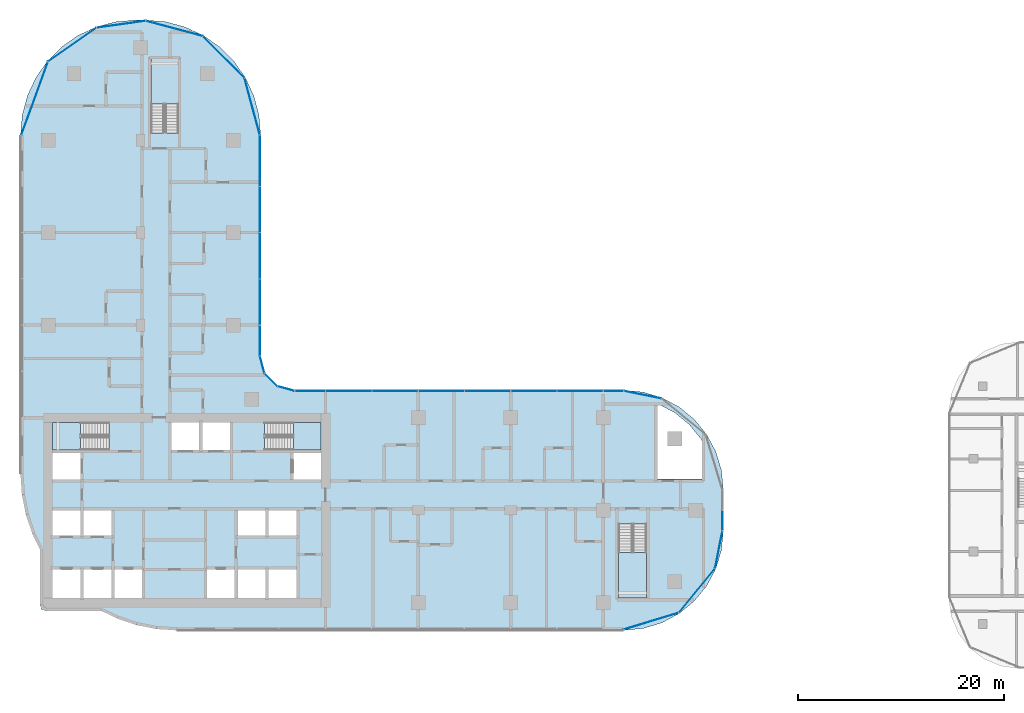
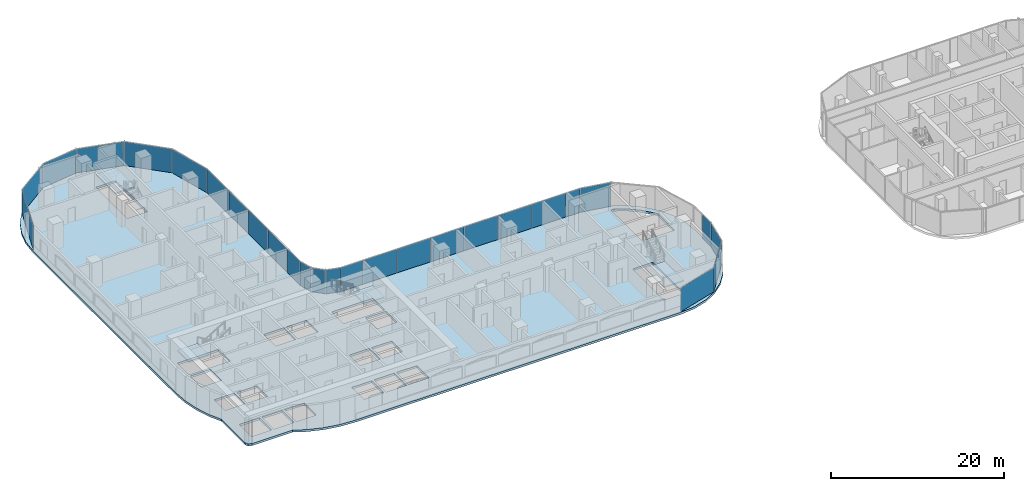
# One storey, part 15 of 34: 27 plates, 5 slabs, 11 elements without a shape of their own.
"""IFC4 building model written with IfcOpenShell, lengths in metres."""

import ifcopenshell
import ifcopenshell.guid

model = None  # the IFC model being written
_history = None  # IfcOwnerHistory: only IFC2X3 demands one
_inside = {}  # id of a spatial element -> (the spatial element, [elements in it])
_under = {}  # id of a project, library or spatial element -> (it, [spatial elements below it])
_declared = {}  # id of a project -> (the project, [libraries it declares])
_typed = {}  # id of a type object -> (the type object, [elements of that type])
_made_of = {}  # id of a material, layer set ... -> (it, [elements and type objects made of it])


def new_model(schema):
    """Start an empty IFC model of exactly this schema.

    Asked for "IFC4X3", IfcOpenShell would pick the latest addendum, in which some entities
    have other attributes; the version numbers below select the first issue.
    IFC2X3 requires an IfcOwnerHistory on every rooted entity: one is made here for all.
    """
    global model, _history
    if schema == "IFC4X3":
        model = ifcopenshell.file(schema_version=(4, 3, 0, 0))
    else:
        model = ifcopenshell.file(schema=schema)
    _inside.clear()
    _under.clear()
    _declared.clear()
    _typed.clear()
    _made_of.clear()
    _history = None
    if model.schema == "IFC2X3":
        org = make("IfcOrganization", Name="unknown")
        user = make(
            "IfcPersonAndOrganization",
            ThePerson=make("IfcPerson", FamilyName="unknown"),
            TheOrganization=org,
        )
        app = make(
            "IfcApplication",
            ApplicationDeveloper=org,
            Version="unknown",
            ApplicationFullName="unknown",
            ApplicationIdentifier="unknown",
        )
        _history = make(
            "IfcOwnerHistory",
            OwningUser=user,
            OwningApplication=app,
            ChangeAction="ADDED",
            CreationDate=0,
        )
    return model


def make(cls, **values):
    """One entity of the class cls with the attributes given. An attribute that is None is left unset."""
    return model.create_entity(
        cls, **{name: value for name, value in values.items() if value is not None}
    )


def rooted(cls, **values):
    """An entity with a GlobalId (a new one), such as an element, a storey or a relation."""
    return make(cls, GlobalId=ifcopenshell.guid.new(), OwnerHistory=_history, **values)


def si_unit(unit_type, name, prefix=None):
    """IfcSIUnit, for example si_unit("LENGTHUNIT", "METRE", prefix="MILLI")."""
    return make("IfcSIUnit", UnitType=unit_type, Prefix=prefix, Name=name)


def assignment(units):
    """IfcUnitAssignment: the units of a project."""
    return None if units is None else make("IfcUnitAssignment", Units=units)


def point(xyz):
    """IfcCartesianPoint."""
    return None if xyz is None else make("IfcCartesianPoint", Coordinates=xyz)


def direction(xyz):
    """IfcDirection."""
    return None if xyz is None else make("IfcDirection", DirectionRatios=xyz)


def frame(location, z_axis=None, x_axis=None):
    """IfcAxis2Placement3D, a coordinate frame: its origin and axes. An axis left out is left unset."""
    return make(
        "IfcAxis2Placement3D",
        Location=point(location),
        Axis=direction(z_axis),
        RefDirection=direction(x_axis),
    )


def frame_2d(location, x_axis=None):
    """IfcAxis2Placement2D, a coordinate frame in the plane: its origin and x axis."""
    return make(
        "IfcAxis2Placement2D", Location=point(location), RefDirection=direction(x_axis)
    )


def origin():
    """The frame at (0, 0, 0) with its axes left unset."""
    return frame((0.0, 0.0, 0.0))


def origin_2d():
    """The frame at (0, 0) in the plane with its x axis left unset."""
    return frame_2d((0.0, 0.0))


def place(relative_to, where):
    """IfcLocalPlacement: puts the frame where relative to a parent placement (None: the world)."""
    return make(
        "IfcLocalPlacement", PlacementRelTo=relative_to, RelativePlacement=where
    )


def context(
    kind, dimensions, precision=None, world=None, true_north=None, identifier=None
):
    """IfcGeometricRepresentationContext, for example the 3D "Model" context."""
    return make(
        "IfcGeometricRepresentationContext",
        ContextIdentifier=identifier,
        ContextType=kind,
        CoordinateSpaceDimension=dimensions,
        Precision=precision,
        WorldCoordinateSystem=world,
        TrueNorth=true_north,
    )


def subcontext(parent, identifier, kind, view, scale=None):
    """IfcGeometricRepresentationSubContext, for example "Body" below "Model"."""
    return make(
        "IfcGeometricRepresentationSubContext",
        ContextIdentifier=identifier,
        ContextType=kind,
        ParentContext=parent,
        TargetScale=scale,
        TargetView=view,
    )


def project(units=None, contexts=None):
    """IfcProject with its units and contexts."""
    return rooted(
        "IfcProject",
        Name="project",
        RepresentationContexts=contexts,
        UnitsInContext=assignment(units),
    )


def spatial(cls, under=None, at=None, **own):
    """A site, building, storey or space (cls), placed at a placement, below another one or the project."""
    s = rooted(cls, ObjectPlacement=at, **own)
    if under is not None:
        _under.setdefault(under.id(), (under, []))[1].append(s)
    return s


def polyline(points):
    """IfcPolyline through the points."""
    return make("IfcPolyline", Points=[point(p) for p in points])


def profile(cls, at=None, kind="AREA", **sizes):
    """A parametric profile (cls). Its sizes go by their IFC names, for example OverallWidth=200.0."""
    return make(cls, ProfileType=kind, Position=at, **sizes)


def rectangle(**sizes):
    """IfcRectangleProfileDef."""
    return profile("IfcRectangleProfileDef", **sizes)


def outline(outer, holes=None, kind="AREA"):
    """IfcArbitraryClosedProfileDef: a profile drawn as a closed curve; with holes, ...WithVoids."""
    if holes is None:
        return make("IfcArbitraryClosedProfileDef", ProfileType=kind, OuterCurve=outer)
    return make(
        "IfcArbitraryProfileDefWithVoids",
        ProfileType=kind,
        OuterCurve=outer,
        InnerCurves=holes,
    )


def extrude(swept, where, along, depth):
    """IfcExtrudedAreaSolid: the profile swept, set in the frame where, extruded along a direction by depth."""
    return make(
        "IfcExtrudedAreaSolid",
        SweptArea=swept,
        Position=where,
        ExtrudedDirection=direction(along),
        Depth=depth,
    )


def shape(context_of_items, identifier, shape_type, items):
    """IfcShapeRepresentation: the items that make up one representation, for example the "Body"."""
    return make(
        "IfcShapeRepresentation",
        ContextOfItems=context_of_items,
        RepresentationIdentifier=identifier,
        RepresentationType=shape_type,
        Items=items,
    )


def material(Name=None, Category=None):
    """IfcMaterial."""
    return make("IfcMaterial", Name=Name, Category=Category)


def layer(
    of_material, thickness, ventilated=None, Name=None, Category=None, Priority=None
):
    """IfcMaterialLayer: one layer of a wall or slab, of a material (None: an air gap)."""
    return make(
        "IfcMaterialLayer",
        Material=of_material,
        LayerThickness=thickness,
        IsVentilated=ventilated,
        Name=Name,
        Category=Category,
        Priority=Priority,
    )


def layer_set(layers, Name=None):
    """IfcMaterialLayerSet."""
    return make("IfcMaterialLayerSet", MaterialLayers=layers, LayerSetName=Name)


def made_of(thing, what):
    """Note that an element or type object is made of a material, layer set ...; save() writes the relation."""
    if what is not None:
        _made_of.setdefault(what.id(), (what, []))[1].append(thing)
    return thing


def type_object(cls, material=None, **own):
    """A type object (cls), such as IfcWallType, which elements share."""
    return made_of(rooted(cls, **own), material)


def element(
    cls,
    number,
    at=None,
    inside=None,
    cuts=None,
    type_object=None,
    material=None,
    context=None,
    identifier="Body",
    shape_type=None,
    held_by="IfcProductDefinitionShape",
    body=None,
    shapes=None,
    **own,
):
    """One element of the class cls, such as IfcWall. Its Tag is "e" and its number.

    at: its placement. inside: the storey or other place that contains it. cuts: it is an
    opening in that element (IfcRelVoidsElement). A single representation is given by context,
    identifier, shape_type and body (its items); several are given by shapes. held_by: the class
    of the entity that holds the representations. save() writes the other relations.
    """
    e = rooted(cls, Tag="e%d" % number, ObjectPlacement=at, **own)
    if body is not None:
        shapes = [shape(context, identifier, shape_type, body)]
    if shapes is not None:
        e.Representation = make(held_by, Representations=shapes)
    if inside is not None:
        _inside.setdefault(inside.id(), (inside, []))[1].append(e)
    if cuts is not None:
        rooted(
            "IfcRelVoidsElement", RelatingBuildingElement=cuts, RelatedOpeningElement=e
        )
    if type_object is not None:
        _typed.setdefault(type_object.id(), (type_object, []))[1].append(e)
    return made_of(e, material)


def aggregate(whole, parts):
    """IfcRelAggregates: a whole, such as a stair, and the parts it consists of."""
    return rooted("IfcRelAggregates", RelatingObject=whole, RelatedObjects=parts)


def save(model, path):
    """Write the relations noted so far, then the file.

    IfcRelAggregates (storeys below a building ...), IfcRelContainedInSpatialStructure (elements
    in a storey), IfcRelDefinesByType, IfcRelAssociatesMaterial and IfcRelDeclares: one each for
    every whole, place, type object, material and project.
    """
    for whole, parts in _under.values():
        aggregate(whole, parts)
    for where, things in _inside.values():
        rooted(
            "IfcRelContainedInSpatialStructure",
            RelatedElements=things,
            RelatingStructure=where,
        )
    for kind, things in _typed.values():
        rooted("IfcRelDefinesByType", RelatedObjects=things, RelatingType=kind)
    for what, things in _made_of.values():
        rooted("IfcRelAssociatesMaterial", RelatedObjects=things, RelatingMaterial=what)
    for by, libraries in _declared.values():
        rooted("IfcRelDeclares", RelatingContext=by, RelatedDefinitions=libraries)
    model.write(path)


model = new_model("IFC4")

# Units and contexts
model_context = context("Model", 3, precision=1e-05, world=origin(), true_north=direction((0.0, 1.0)))
body_context = subcontext(model_context, "Body", "Model", "MODEL_VIEW")
ifc_project = project(units=[si_unit("LENGTHUNIT", "METRE"), si_unit("AREAUNIT", "SQUARE_METRE"), si_unit("VOLUMEUNIT", "CUBIC_METRE"), si_unit("PLANEANGLEUNIT", "RADIAN"), si_unit("MASSUNIT", "GRAM", prefix="KILO")], contexts=[model_context])

# Site, building, storey
site_placement = place(None, origin())
site = spatial("IfcSite", under=ifc_project, at=site_placement, CompositionType="ELEMENT")
building_placement = place(site_placement, origin())
building = spatial("IfcBuilding", under=site, at=building_placement, Name="Ogive Portal Towers", CompositionType="ELEMENT")
storey_placement = place(building_placement, frame((0.0, 0.0, 66.800048828125)))
storey = spatial("IfcBuildingStorey", under=building, at=storey_placement, Name="L15", CompositionType="ELEMENT", Elevation=66.800048828125)

# Curtain wall, plate
ifc_material_1 = material(Name="Glass, clear low-iron insulated glazing", Category="glass")
curtain_wall_type = type_object("IfcCurtainWallType", Name="CW FRONT RIBBON 4500", PredefinedType="NOTDEFINED", material=ifc_material_1)
curtain_wall_1_placement = place(storey_placement, origin())
curtain_wall_1 = element("IfcCurtainWall", 1, at=curtain_wall_1_placement, inside=storey, type_object=curtain_wall_type, Name="A:L15:f12:cw0", PredefinedType="NOTDEFINED")
ifc_layer_1 = layer(ifc_material_1, 0.028076171875)
ifc_layer_set_1 = layer_set([ifc_layer_1], Name="CW PANEL IGU 28")
plate_type = type_object("IfcPlateType", Name="CW PANEL IGU 28", PredefinedType="CURTAIN_PANEL", material=ifc_layer_set_1)
plate_1_placement = place(storey_placement, frame((97.10009765625, 29.50390625, 0.0), z_axis=(0.0, 0.0, 1.0), x_axis=(0.0, 1.0, 0.0)))
plate_1 = element("IfcPlate", 2, at=plate_1_placement, type_object=plate_type, Name="panel", PredefinedType="CURTAIN_PANEL", context=body_context, shape_type="SweptSolid", body=[
    extrude(rectangle(XDim=1.93212890625, YDim=0.028076171875, at=origin_2d()), origin(), (0.0, 0.0, 1.0), 3.340087890625),
])
aggregate(curtain_wall_1, [plate_1])

# Curtain wall, plates
curtain_wall_2_placement = place(storey_placement, origin())
curtain_wall_2 = element("IfcCurtainWall", 3, at=curtain_wall_2_placement, inside=storey, type_object=curtain_wall_type, Name="A:L15:f16:cw0", PredefinedType="NOTDEFINED")
plate_2_placement = place(storey_placement, frame((86.49609375, 42.10009765625, 0.0), z_axis=(0.0, 0.0, 1.0), x_axis=(-1.0, 0.0, 0.0)))
plate_2 = element("IfcPlate", 4, at=plate_2_placement, type_object=plate_type, Name="panel", PredefinedType="CURTAIN_PANEL", context=body_context, shape_type="SweptSolid", body=[
    extrude(rectangle(XDim=1.93212890625, YDim=0.028076171875, at=origin_2d()), origin(), (0.0, 0.0, 1.0), 3.340087890625),
])
plate_3_placement = place(storey_placement, frame((83.25, 42.10009765625, 0.0), z_axis=(0.0, 0.0, 1.0), x_axis=(-1.0, 0.0, 0.0)))
plate_3 = element("IfcPlate", 5, at=plate_3_placement, type_object=plate_type, Name="panel", PredefinedType="CURTAIN_PANEL", context=body_context, shape_type="SweptSolid", body=[
    extrude(rectangle(XDim=4.43994140625, YDim=0.028076171875, at=origin_2d()), origin(), (0.0, 0.0, 1.0), 3.340087890625),
])
plate_4_placement = place(storey_placement, frame((78.75, 42.10009765625, 0.0), z_axis=(0.0, 0.0, 1.0), x_axis=(-1.0, 0.0, 0.0)))
plate_4 = element("IfcPlate", 6, at=plate_4_placement, type_object=plate_type, Name="panel", PredefinedType="CURTAIN_PANEL", context=body_context, shape_type="SweptSolid", body=[
    extrude(rectangle(XDim=4.43994140625, YDim=0.028076171875, at=origin_2d()), origin(), (0.0, 0.0, 1.0), 3.340087890625),
])
plate_5_placement = place(storey_placement, frame((74.25, 42.10009765625, 0.0), z_axis=(0.0, 0.0, 1.0), x_axis=(-1.0, 0.0, 0.0)))
plate_5 = element("IfcPlate", 7, at=plate_5_placement, type_object=plate_type, Name="panel", PredefinedType="CURTAIN_PANEL", context=body_context, shape_type="SweptSolid", body=[
    extrude(rectangle(XDim=4.43994140625, YDim=0.028076171875, at=origin_2d()), origin(), (0.0, 0.0, 1.0), 3.340087890625),
])
plate_6_placement = place(storey_placement, frame((69.75, 42.10009765625, 0.0), z_axis=(0.0, 0.0, 1.0), x_axis=(-1.0, 0.0, 0.0)))
plate_6 = element("IfcPlate", 8, at=plate_6_placement, type_object=plate_type, Name="panel", PredefinedType="CURTAIN_PANEL", context=body_context, shape_type="SweptSolid", body=[
    extrude(rectangle(XDim=4.43994140625, YDim=0.028076171875, at=origin_2d()), origin(), (0.0, 0.0, 1.0), 3.340087890625),
])
plate_7_placement = place(storey_placement, frame((65.25, 42.10009765625, 0.0), z_axis=(0.0, 0.0, 1.0), x_axis=(-1.0, 0.0, 0.0)))
plate_7 = element("IfcPlate", 9, at=plate_7_placement, type_object=plate_type, Name="panel", PredefinedType="CURTAIN_PANEL", context=body_context, shape_type="SweptSolid", body=[
    extrude(rectangle(XDim=4.43994140625, YDim=0.028076171875, at=origin_2d()), origin(), (0.0, 0.0, 1.0), 3.340087890625),
])
plate_8_placement = place(storey_placement, frame((60.75, 42.10009765625, 0.0), z_axis=(0.0, 0.0, 1.0), x_axis=(-1.0, 0.0, 0.0)))
plate_8 = element("IfcPlate", 10, at=plate_8_placement, type_object=plate_type, Name="panel", PredefinedType="CURTAIN_PANEL", context=body_context, shape_type="SweptSolid", body=[
    extrude(rectangle(XDim=4.43994140625, YDim=0.028076171875, at=origin_2d()), origin(), (0.0, 0.0, 1.0), 3.340087890625),
])
plate_9_placement = place(storey_placement, frame((56.99462890625, 42.10009765625, 0.0), z_axis=(0.0, 0.0, 1.0), x_axis=(-1.0, 0.0, 0.0)))
plate_9 = element("IfcPlate", 11, at=plate_9_placement, type_object=plate_type, Name="panel", PredefinedType="CURTAIN_PANEL", context=body_context, shape_type="SweptSolid", body=[
    extrude(rectangle(XDim=2.950439453125, YDim=0.028076171875, at=origin_2d()), origin(), (0.0, 0.0, 1.0), 3.340087890625),
])
aggregate(curtain_wall_2, [plate_2, plate_3, plate_4, plate_5, plate_6, plate_7, plate_8, plate_9])

curtain_wall_3_placement = place(storey_placement, origin())
curtain_wall_3 = element("IfcCurtainWall", 12, at=curtain_wall_3_placement, inside=storey, type_object=curtain_wall_type, Name="A:L15:f20:cw0", PredefinedType="NOTDEFINED")
plate_10_placement = place(storey_placement, frame((52.10009765625, 46.99462890625, 0.0), z_axis=(0.0, 0.0, 1.0), x_axis=(0.0, 1.0, 0.0)))
plate_10 = element("IfcPlate", 13, at=plate_10_placement, type_object=plate_type, Name="panel", PredefinedType="CURTAIN_PANEL", context=body_context, shape_type="SweptSolid", body=[
    extrude(rectangle(XDim=2.950439453125, YDim=0.028076171875, at=origin_2d()), origin(), (0.0, 0.0, 1.0), 3.340087890625),
])
plate_11_placement = place(storey_placement, frame((52.10009765625, 50.75, 0.0), z_axis=(0.0, 0.0, 1.0), x_axis=(0.0, 1.0, 0.0)))
plate_11 = element("IfcPlate", 14, at=plate_11_placement, type_object=plate_type, Name="panel", PredefinedType="CURTAIN_PANEL", context=body_context, shape_type="SweptSolid", body=[
    extrude(rectangle(XDim=4.43994140625, YDim=0.028076171875, at=origin_2d()), origin(), (0.0, 0.0, 1.0), 3.340087890625),
])
plate_12_placement = place(storey_placement, frame((52.10009765625, 55.25, 0.0), z_axis=(0.0, 0.0, 1.0), x_axis=(0.0, 1.0, 0.0)))
plate_12 = element("IfcPlate", 15, at=plate_12_placement, type_object=plate_type, Name="panel", PredefinedType="CURTAIN_PANEL", context=body_context, shape_type="SweptSolid", body=[
    extrude(rectangle(XDim=4.43994140625, YDim=0.028076171875, at=origin_2d()), origin(), (0.0, 0.0, 1.0), 3.340087890625),
])
plate_13_placement = place(storey_placement, frame((52.10009765625, 59.75, 0.0), z_axis=(0.0, 0.0, 1.0), x_axis=(0.0, 1.0, 0.0)))
plate_13 = element("IfcPlate", 16, at=plate_13_placement, type_object=plate_type, Name="panel", PredefinedType="CURTAIN_PANEL", context=body_context, shape_type="SweptSolid", body=[
    extrude(rectangle(XDim=4.43994140625, YDim=0.028076171875, at=origin_2d()), origin(), (0.0, 0.0, 1.0), 3.340087890625),
])
plate_14_placement = place(storey_placement, frame((52.10009765625, 64.49462890625, 0.0), z_axis=(0.0, 0.0, 1.0), x_axis=(0.0, 1.0, 0.0)))
plate_14 = element("IfcPlate", 17, at=plate_14_placement, type_object=plate_type, Name="panel", PredefinedType="CURTAIN_PANEL", context=body_context, shape_type="SweptSolid", body=[
    extrude(rectangle(XDim=4.929443359375, YDim=0.028076171875, at=origin_2d()), origin(), (0.0, 0.0, 1.0), 3.340087890625),
])
aggregate(curtain_wall_3, [plate_10, plate_11, plate_12, plate_13, plate_14])

curtain_wall_4_placement = place(storey_placement, origin())
curtain_wall_4 = element("IfcCurtainWall", 18, at=curtain_wall_4_placement, inside=storey, type_object=curtain_wall_type, Name="A:L15:f09:cwa", PredefinedType="NOTDEFINED")
plate_15_placement = place(storey_placement, frame((90.159912109375, 19.71044921875, 0.0), z_axis=(0.0, 0.0, 1.0), x_axis=(0.956940335732, 0.290284677254, 0.0)))
plate_15 = element("IfcPlate", 19, at=plate_15_placement, type_object=plate_type, Name="panel", PredefinedType="CURTAIN_PANEL", context=body_context, shape_type="SweptSolid", body=[
    extrude(rectangle(XDim=5.523681640625, YDim=0.028076171875, at=origin_2d()), origin(), (0.0, 0.0, 1.0), 3.340087890625),
])
plate_16_placement = place(storey_placement, frame((94.60009765625, 22.67578125, 0.0), z_axis=(0.0, 0.0, 1.0), x_axis=(0.634393284164, 0.773010453363, 0.0)))
plate_16 = element("IfcPlate", 20, at=plate_16_placement, type_object=plate_type, Name="panel", PredefinedType="CURTAIN_PANEL", context=body_context, shape_type="SweptSolid", body=[
    extrude(rectangle(XDim=5.515625, YDim=0.028076171875, at=origin_2d()), origin(), (0.0, 0.0, 1.0), 3.340087890625),
])
plate_17_placement = place(storey_placement, frame((96.734375, 26.66943359375, 0.0), z_axis=(0.0, 0.0, 1.0), x_axis=(0.195090322016, 0.980785280403, 0.0)))
plate_17 = element("IfcPlate", 21, at=plate_17_placement, type_object=plate_type, Name="panel", PredefinedType="CURTAIN_PANEL", context=body_context, shape_type="SweptSolid", body=[
    extrude(rectangle(XDim=3.68896484375, YDim=0.028076171875, at=origin_2d()), origin(), (0.0, 0.0, 1.0), 3.340087890625),
])
aggregate(curtain_wall_4, [plate_15, plate_16, plate_17])

# Curtain wall, plate
curtain_wall_5_placement = place(storey_placement, origin())
curtain_wall_5 = element("IfcCurtainWall", 22, at=curtain_wall_5_placement, inside=storey, type_object=curtain_wall_type, Name="A:L15:f13:cwa", PredefinedType="NOTDEFINED")
plate_18_placement = place(storey_placement, frame((89.33056640625, 41.734375, 0.0), z_axis=(0.0, 0.0, 1.0), x_axis=(-0.980785280403, 0.195090322016, 0.0)))
plate_18 = element("IfcPlate", 23, at=plate_18_placement, type_object=plate_type, Name="panel", PredefinedType="CURTAIN_PANEL", context=body_context, shape_type="SweptSolid", body=[
    extrude(rectangle(XDim=3.68896484375, YDim=0.028076171875, at=origin_2d()), origin(), (0.0, 0.0, 1.0), 3.340087890625),
])
aggregate(curtain_wall_5, [plate_18])

# Curtain wall, plates
curtain_wall_6_placement = place(storey_placement, origin())
curtain_wall_6 = element("IfcCurtainWall", 24, at=curtain_wall_6_placement, inside=storey, type_object=curtain_wall_type, Name="A:L15:f17:cwa", PredefinedType="NOTDEFINED")
plate_19_placement = place(storey_placement, frame((54.64404296875, 42.326416015625, 0.0), z_axis=(0.0, 0.0, 1.0), x_axis=(-0.965925826289, 0.258819045103, 0.0)))
plate_19 = element("IfcPlate", 25, at=plate_19_placement, type_object=plate_type, Name="panel", PredefinedType="CURTAIN_PANEL", context=body_context, shape_type="SweptSolid", body=[
    extrude(rectangle(XDim=1.6904296875, YDim=0.028076171875, at=origin_2d()), origin(), (0.0, 0.0, 1.0), 3.340087890625),
])
plate_20_placement = place(storey_placement, frame((53.17578125, 43.17578125, 0.0), z_axis=(0.0, 0.0, 1.0), x_axis=(-0.707106781187, 0.707106781187, 0.0)))
plate_20 = element("IfcPlate", 26, at=plate_20_placement, type_object=plate_type, Name="panel", PredefinedType="CURTAIN_PANEL", context=body_context, shape_type="SweptSolid", body=[
    extrude(rectangle(XDim=1.701416015625, YDim=0.028076171875, at=origin_2d()), origin(), (0.0, 0.0, 1.0), 3.340087890625),
])
plate_21_placement = place(storey_placement, frame((52.326416015625, 44.64404296875, 0.0), z_axis=(0.0, 0.0, 1.0), x_axis=(-0.258819045103, 0.965925826289, 0.0)))
plate_21 = element("IfcPlate", 27, at=plate_21_placement, type_object=plate_type, Name="panel", PredefinedType="CURTAIN_PANEL", context=body_context, shape_type="SweptSolid", body=[
    extrude(rectangle(XDim=1.6904296875, YDim=0.028076171875, at=origin_2d()), origin(), (0.0, 0.0, 1.0), 3.340087890625),
])
aggregate(curtain_wall_6, [plate_19, plate_20, plate_21])

curtain_wall_7_placement = place(storey_placement, origin())
curtain_wall_7 = element("IfcCurtainWall", 28, at=curtain_wall_7_placement, inside=storey, type_object=curtain_wall_type, Name="A:L15:f21:cwa", PredefinedType="NOTDEFINED")
plate_22_placement = place(storey_placement, frame((51.355224609375, 69.76904296875, 0.0), z_axis=(0.0, 0.0, 1.0), x_axis=(-0.258819045103, 0.965925826289, 0.0)))
plate_22 = element("IfcPlate", 29, at=plate_22_placement, type_object=plate_type, Name="panel", PredefinedType="CURTAIN_PANEL", context=body_context, shape_type="SweptSolid", body=[
    extrude(rectangle(XDim=5.6953125, YDim=0.028076171875, at=origin_2d()), origin(), (0.0, 0.0, 1.0), 3.340087890625),
])
plate_23_placement = place(storey_placement, frame((48.57958984375, 74.57958984375, 0.0), z_axis=(0.0, 0.0, 1.0), x_axis=(-0.707106781187, 0.707106781187, 0.0)))
plate_23 = element("IfcPlate", 30, at=plate_23_placement, type_object=plate_type, Name="panel", PredefinedType="CURTAIN_PANEL", context=body_context, shape_type="SweptSolid", body=[
    extrude(rectangle(XDim=5.684326171875, YDim=0.028076171875, at=origin_2d()), origin(), (0.0, 0.0, 1.0), 3.340087890625),
])
plate_24_placement = place(storey_placement, frame((43.771728515625, 77.3544921875, 0.0), z_axis=(0.0, 0.0, 1.0), x_axis=(-0.965925826289, 0.258819045103, 0.0)))
plate_24 = element("IfcPlate", 31, at=plate_24_placement, type_object=plate_type, Name="panel", PredefinedType="CURTAIN_PANEL", context=body_context, shape_type="SweptSolid", body=[
    extrude(rectangle(XDim=5.689453125, YDim=0.028076171875, at=origin_2d()), origin(), (0.0, 0.0, 1.0), 3.340087890625),
])
plate_25_placement = place(storey_placement, frame((38.6005859375, 77.763916015625, 0.0), z_axis=(0.0, 0.0, 1.0), x_axis=(-0.990372546931, -0.13842766445, 0.0)))
plate_25 = element("IfcPlate", 32, at=plate_25_placement, type_object=plate_type, Name="panel", PredefinedType="CURTAIN_PANEL", context=body_context, shape_type="SweptSolid", body=[
    extrude(rectangle(XDim=4.775146484375, YDim=0.028076171875, at=origin_2d()), origin(), (0.0, 0.0, 1.0), 3.340087890625),
])
plate_26_placement = place(storey_placement, frame((33.854248046875, 75.7822265625, 0.0), z_axis=(0.0, 0.0, 1.0), x_axis=(-0.819152044289, -0.573576436351, 0.0)))
plate_26 = element("IfcPlate", 33, at=plate_26_placement, type_object=plate_type, Name="panel", PredefinedType="CURTAIN_PANEL", context=body_context, shape_type="SweptSolid", body=[
    extrude(rectangle(XDim=5.6826171875, YDim=0.028076171875, at=origin_2d()), origin(), (0.0, 0.0, 1.0), 3.340087890625),
])
plate_27_placement = place(storey_placement, frame((30.201171875, 70.560546875, 0.0), z_axis=(0.0, 0.0, 1.0), x_axis=(-0.342020143326, -0.939692620786, 0.0)))
plate_27 = element("IfcPlate", 34, at=plate_27_placement, type_object=plate_type, Name="panel", PredefinedType="CURTAIN_PANEL", context=body_context, shape_type="SweptSolid", body=[
    extrude(rectangle(XDim=7.54833984375, YDim=0.028076171875, at=origin_2d()), origin(), (0.0, 0.0, 1.0), 3.340087890625),
])
aggregate(curtain_wall_7, [plate_22, plate_23, plate_24, plate_25, plate_26, plate_27])

# Stair, slab
ifc_material_2 = material(Name="Concrete C40/50", Category="concrete")
stair_type = type_object("IfcStairType", Name="INT-STAIR", PredefinedType="HALF_TURN_STAIR", material=ifc_material_2)
stair_1_placement = place(storey_placement, origin())
stair_1 = element("IfcStair", 35, at=stair_1_placement, inside=storey, type_object=stair_type, Name="L15 Exit Stair ST-A1", PredefinedType="HALF_TURN_STAIR")
ifc_layer_2 = layer(ifc_material_2, 0.199951171875)
ifc_layer_set_2 = layer_set([ifc_layer_2], Name="INT-LANDING")
slab_type_1 = type_object("IfcSlabType", Name="INT-LANDING", PredefinedType="LANDING", material=ifc_layer_set_2)
slab_1_placement = place(storey_placement, frame((0.0, 0.0, 1.64990234375)))
slab_1 = element("IfcSlab", 36, at=slab_1_placement, type_object=slab_type_1, Name="ST-A1 landing 1", PredefinedType="LANDING", context=body_context, shape_type="SweptSolid", body=[
    extrude(outline(polyline([(34.64990234375, 39.050048828125), (31.949951171875, 39.050048828125), (31.949951171875, 36.35009765625), (34.64990234375, 36.35009765625), (34.64990234375, 39.050048828125)])), origin(), (0.0, 0.0, 1.0), 0.199951171875),
])
aggregate(stair_1, [slab_1])

stair_2_placement = place(storey_placement, origin())
stair_2 = element("IfcStair", 37, at=stair_2_placement, inside=storey, type_object=stair_type, Name="L15 Exit Stair ST-A2", PredefinedType="HALF_TURN_STAIR")
slab_2_placement = place(storey_placement, frame((0.0, 0.0, 1.64990234375)))
slab_2 = element("IfcSlab", 38, at=slab_2_placement, type_object=slab_type_1, Name="ST-A2 landing 1", PredefinedType="LANDING", context=body_context, shape_type="SweptSolid", body=[
    extrude(outline(polyline([(55.35009765625, 36.35009765625), (58.050048828125, 36.35009765625), (58.050048828125, 39.050048828125), (55.35009765625, 39.050048828125), (55.35009765625, 36.35009765625)])), origin(), (0.0, 0.0, 1.0), 0.199951171875),
])
aggregate(stair_2, [slab_2])

stair_3_placement = place(storey_placement, origin())
stair_3 = element("IfcStair", 39, at=stair_3_placement, inside=storey, type_object=stair_type, Name="L15 Exit Stair ST-A3", PredefinedType="HALF_TURN_STAIR")
slab_3_placement = place(storey_placement, frame((0.0, 0.0, 1.64990234375)))
slab_3 = element("IfcSlab", 40, at=slab_3_placement, type_object=slab_type_1, Name="ST-A3 landing 1", PredefinedType="LANDING", context=body_context, shape_type="SweptSolid", body=[
    extrude(outline(polyline([(44.199951171875, 70.0), (44.199951171875, 74.449951171875), (41.5, 74.449951171875), (41.5, 70.0), (44.199951171875, 70.0)])), origin(), (0.0, 0.0, 1.0), 0.199951171875),
])
aggregate(stair_3, [slab_3])

stair_4_placement = place(storey_placement, origin())
stair_4 = element("IfcStair", 41, at=stair_4_placement, inside=storey, type_object=stair_type, Name="L15 Exit Stair ST-A4", PredefinedType="HALF_TURN_STAIR")
slab_4_placement = place(storey_placement, frame((0.0, 0.0, 1.64990234375)))
slab_4 = element("IfcSlab", 42, at=slab_4_placement, type_object=slab_type_1, Name="ST-A4 landing 1", PredefinedType="LANDING", context=body_context, shape_type="SweptSolid", body=[
    extrude(outline(polyline([(87.0, 26.3701171875), (87.0, 21.949951171875), (89.699951171875, 21.949951171875), (89.699951171875, 26.3701171875), (87.0, 26.3701171875)])), origin(), (0.0, 0.0, 1.0), 0.199951171875),
])
aggregate(stair_4, [slab_4])

# Slab
ifc_material_3 = material(Name="Concrete C45/55", Category="concrete")
ifc_layer_3 = layer(ifc_material_3, 0.300048828125)
ifc_layer_set_3 = layer_set([ifc_layer_3], Name="PT FLAT PLATE 300")
slab_type_2 = type_object("IfcSlabType", Name="PT FLAT PLATE 300", PredefinedType="FLOOR", material=ifc_layer_set_3)
slab_5_placement = place(storey_placement, frame((0.0, 0.0, -0.300048828125)))
element("IfcSlab", 43, at=slab_5_placement, inside=storey, type_object=slab_type_2, Name="Floor slab L15", PredefinedType="FLOOR", context=body_context, shape_type="SweptSolid", body=[
    extrude(outline(polyline([(29.337158203125, 30.071044921875), (29.9755859375, 28.19091796875), (30.699951171875, 26.7216796875), (30.699951171875, 21.300048828125), (30.875732421875, 20.875732421875), (31.300048828125, 20.699951171875), (36.7216796875, 20.699951171875), (38.19091796875, 19.9755859375), (40.071044921875, 19.337158203125), (42.0185546875, 18.949951171875), (44.0, 18.820068359375), (87.5, 18.820068359375), (89.388427734375, 19.006103515625), (91.204345703125, 19.556884765625), (92.8779296875, 20.451416015625), (94.3447265625, 21.6552734375), (95.548583984375, 23.1220703125), (96.443115234375, 24.795654296875), (96.993896484375, 26.611572265625), (97.179931640625, 28.5), (97.179931640625, 32.5), (96.993896484375, 34.388427734375), (96.443115234375, 36.204345703125), (95.548583984375, 37.8779296875), (94.3447265625, 39.3447265625), (92.8779296875, 40.548583984375), (91.204345703125, 41.443115234375), (89.388427734375, 41.993896484375), (87.5, 42.179931640625), (55.5, 42.179931640625), (53.840087890625, 42.624755859375), (52.624755859375, 43.840087890625), (52.179931640625, 45.5), (52.179931640625, 67.0), (52.01025390625, 68.94140625), (51.505859375, 70.82373046875), (50.68212890625, 72.590087890625), (49.564453125, 74.186279296875), (48.186279296875, 75.564453125), (46.590087890625, 76.68212890625), (44.82373046875, 77.505859375), (42.94140625, 78.01025390625), (41.0, 78.179931640625), (40.0, 78.179931640625), (38.05859375, 78.01025390625), (36.17626953125, 77.505859375), (34.409912109375, 76.68212890625), (32.813720703125, 75.564453125), (31.435546875, 74.186279296875), (30.31787109375, 72.590087890625), (29.494140625, 70.82373046875), (28.98974609375, 68.94140625), (28.820068359375, 67.0), (28.820068359375, 34.0), (28.949951171875, 32.0185546875), (29.337158203125, 30.071044921875)]), holes=[polyline([(34.64990234375, 24.75), (34.64990234375, 21.949951171875), (31.949951171875, 21.949951171875), (31.949951171875, 24.75), (34.64990234375, 24.75)]), polyline([(37.64990234375, 24.75), (37.64990234375, 21.949951171875), (34.949951171875, 21.949951171875), (34.949951171875, 24.75), (37.64990234375, 24.75)]), polyline([(40.6298828125, 21.969970703125), (37.969970703125, 21.969970703125), (37.969970703125, 24.72998046875), (40.6298828125, 24.72998046875), (40.6298828125, 21.969970703125)]), polyline([(46.969970703125, 21.969970703125), (46.969970703125, 24.72998046875), (49.6298828125, 24.72998046875), (49.6298828125, 21.969970703125), (46.969970703125, 21.969970703125)]), polyline([(34.64990234375, 28.050048828125), (31.949951171875, 28.050048828125), (31.949951171875, 30.5), (34.64990234375, 30.5), (34.64990234375, 28.050048828125)]), polyline([(37.64990234375, 30.5), (37.64990234375, 28.050048828125), (34.949951171875, 28.050048828125), (34.949951171875, 30.5), (37.64990234375, 30.5)]), polyline([(34.64990234375, 36.050048828125), (34.64990234375, 33.5), (31.949951171875, 33.5), (31.949951171875, 36.050048828125), (34.64990234375, 36.050048828125)]), polyline([(31.951904296875, 39.048095703125), (37.447998046875, 39.048095703125), (37.447998046875, 36.35205078125), (31.951904296875, 36.35205078125), (31.951904296875, 39.048095703125)]), polyline([(46.199951171875, 36.35009765625), (43.5, 36.35009765625), (43.5, 39.050048828125), (46.199951171875, 39.050048828125), (46.199951171875, 36.35009765625)]), polyline([(49.199951171875, 36.35009765625), (46.5, 36.35009765625), (46.5, 39.050048828125), (49.199951171875, 39.050048828125), (49.199951171875, 36.35009765625)]), polyline([(44.197998046875, 74.447998046875), (44.197998046875, 67.201904296875), (41.501953125, 67.201904296875), (41.501953125, 74.447998046875), (44.197998046875, 74.447998046875)]), polyline([(52.64990234375, 24.75), (52.64990234375, 21.949951171875), (49.949951171875, 21.949951171875), (49.949951171875, 24.75), (52.64990234375, 24.75)]), polyline([(55.64990234375, 21.949951171875), (52.949951171875, 21.949951171875), (52.949951171875, 24.75), (55.64990234375, 24.75), (55.64990234375, 21.949951171875)]), polyline([(87.001953125, 29.16796875), (89.697998046875, 29.16796875), (89.697998046875, 21.951904296875), (87.001953125, 21.951904296875), (87.001953125, 29.16796875)]), polyline([(52.64990234375, 30.5), (52.64990234375, 28.050048828125), (49.949951171875, 28.050048828125), (49.949951171875, 30.5), (52.64990234375, 30.5)]), polyline([(55.64990234375, 28.050048828125), (52.949951171875, 28.050048828125), (52.949951171875, 30.5), (55.64990234375, 30.5), (55.64990234375, 28.050048828125)]), polyline([(58.050048828125, 36.050048828125), (58.050048828125, 33.5), (55.35009765625, 33.5), (55.35009765625, 36.050048828125), (58.050048828125, 36.050048828125)]), polyline([(94.9638671875, 37.487060546875), (95.080078125, 37.269775390625), (95.080078125, 33.52001953125), (90.77001953125, 33.52001953125), (90.77001953125, 40.679931640625), (91.147216796875, 40.679931640625), (92.487060546875, 39.9638671875), (93.847412109375, 38.847412109375), (94.9638671875, 37.487060546875)]), polyline([(52.552001953125, 36.35205078125), (52.552001953125, 39.048095703125), (58.048095703125, 39.048095703125), (58.048095703125, 36.35205078125), (52.552001953125, 36.35205078125)])]), origin(), (0.0, 0.0, 1.0), 0.300048828125),
])

save(model, "model.ifc")
